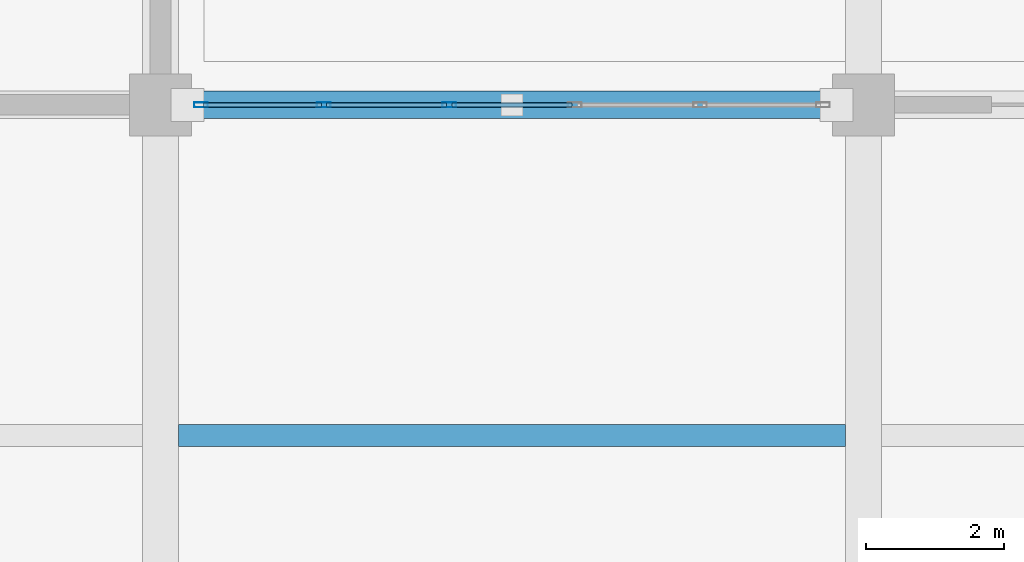
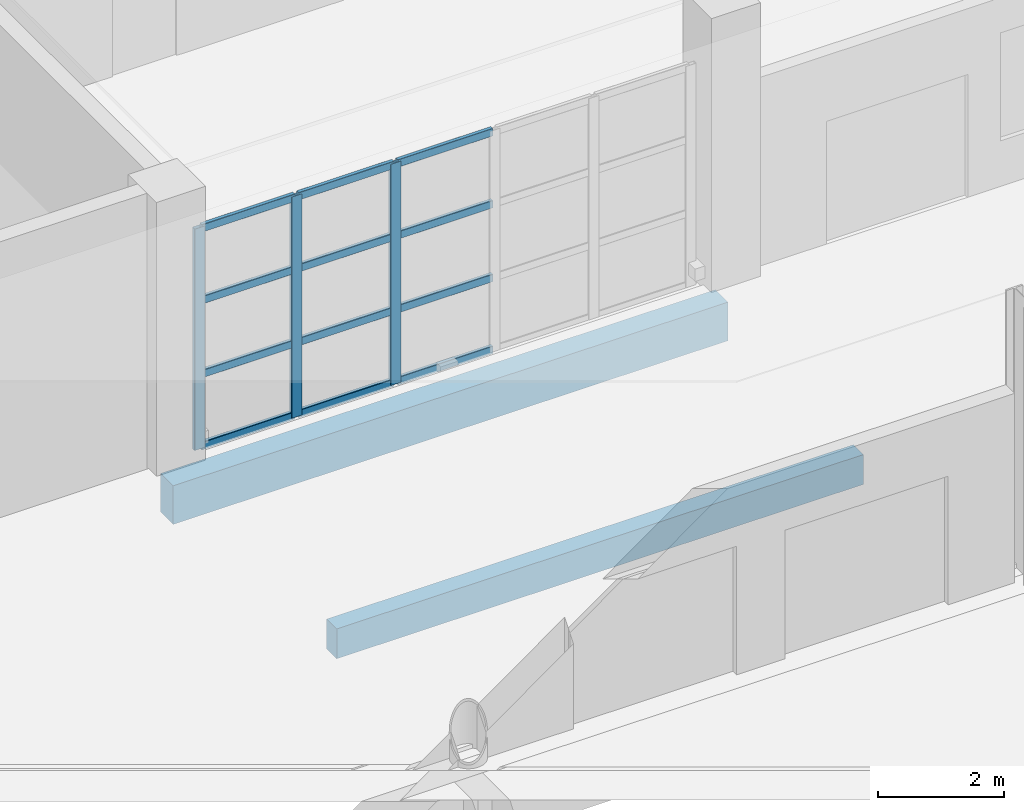
# One storey, part 41 of 124: 15 members, 2 beams, 1 element without a shape of its own.
"""IFC4 building model written with IfcOpenShell, lengths in metres."""

from ifc_helpers import new_model, si_unit, direction, frame, origin, origin_2d, place, context, subcontext, project, spatial, rectangle, hollow_rectangle, extrude, material, material_profile, profile_set, type_object, element, aggregate, save


model = new_model("IFC4")

# Units and contexts
model_context = context("Model", 3, precision=1e-05, world=origin(), true_north=direction((0.0, 1.0)))
body_context = subcontext(model_context, "Body", "Model", "MODEL_VIEW")
ifc_project = project(units=[si_unit("LENGTHUNIT", "METRE"), si_unit("AREAUNIT", "SQUARE_METRE"), si_unit("VOLUMEUNIT", "CUBIC_METRE"), si_unit("PLANEANGLEUNIT", "RADIAN"), si_unit("MASSUNIT", "GRAM", prefix="KILO")], contexts=[model_context])

# Site, building, storey
site_placement = place(None, origin())
site = spatial("IfcSite", under=ifc_project, at=site_placement, CompositionType="ELEMENT")
building_placement = place(site_placement, origin())
building = spatial("IfcBuilding", under=site, at=building_placement, Name="Brelvane Convention Centre", CompositionType="ELEMENT")
storey_placement = place(building_placement, origin())
storey = spatial("IfcBuildingStorey", under=building, at=storey_placement, Name="L00", CompositionType="ELEMENT", Elevation=0.0)

# Curtain wall, members
ifc_material_1 = material(Name="Anodised Aluminium Alloy 6063-T6", Category="aluminium")
curtain_wall_type = type_object("IfcCurtainWallType", Name="Curtain Wall CW-COURT", PredefinedType="USERDEFINED", material=ifc_material_1)
curtain_wall_placement = place(storey_placement, origin())
curtain_wall = element("IfcCurtainWall", 1, at=curtain_wall_placement, inside=storey, type_object=curtain_wall_type, Name="Curtain Wall CW-COURT L00-V4S-05", ObjectType="UNITISED", PredefinedType="USERDEFINED")
ifc_material_2 = material(Name="Anodised Aluminium Alloy 6063-T6", Category="aluminium")
ifc_material_profile_1 = material_profile(ifc_material_2, hollow_rectangle(XDim=0.074951171875, YDim=0.199951171875, WallThickness=0.0048828125, InnerFilletRadius=0.0048828125, OuterFilletRadius=0.010009765625, at=origin_2d()), Name="ALU-M 200x75x5.0")
ifc_profile_set_1 = profile_set([ifc_material_profile_1], Name="Anodised Aluminium Alloy 6063-T6")
member_type_1 = type_object("IfcMemberType", Name="Curtain Mullion CW-M2", PredefinedType="MULLION", material=ifc_profile_set_1)
member_1_placement = place(storey_placement, frame((41.387451171875, 109.199951171875, 0.0), z_axis=(0.0, 0.0, 1.0), x_axis=(0.0, 1.0, 0.0)))
member_1 = element("IfcMember", 2, at=member_1_placement, type_object=member_type_1, Name="CW-COURT mullion 1", PredefinedType="MULLION", context=body_context, shape_type="SweptSolid", body=[
    extrude(hollow_rectangle(XDim=0.074951171875, YDim=0.199951171875, WallThickness=0.0048828125, InnerFilletRadius=0.0048828125, OuterFilletRadius=0.010009765625, at=origin_2d()), origin(), (0.0, 0.0, 1.0), 4.300048828125),
])
member_2_placement = place(storey_placement, frame((43.169921875, 109.199951171875, 0.0), z_axis=(0.0, 0.0, 1.0), x_axis=(0.0, 1.0, 0.0)))
member_2 = element("IfcMember", 3, at=member_2_placement, type_object=member_type_1, Name="CW-COURT mullion 2", PredefinedType="MULLION", context=body_context, shape_type="SweptSolid", body=[
    extrude(hollow_rectangle(XDim=0.074951171875, YDim=0.199951171875, WallThickness=0.0048828125, InnerFilletRadius=0.0048828125, OuterFilletRadius=0.010009765625, at=origin_2d()), origin(), (0.0, 0.0, 1.0), 4.300048828125),
])
member_3_placement = place(storey_placement, frame((44.989990234375, 109.199951171875, 0.0), z_axis=(0.0, 0.0, 1.0), x_axis=(0.0, 1.0, 0.0)))
member_3 = element("IfcMember", 4, at=member_3_placement, type_object=member_type_1, Name="CW-COURT mullion 3", PredefinedType="MULLION", context=body_context, shape_type="SweptSolid", body=[
    extrude(hollow_rectangle(XDim=0.074951171875, YDim=0.199951171875, WallThickness=0.0048828125, InnerFilletRadius=0.0048828125, OuterFilletRadius=0.010009765625, at=origin_2d()), origin(), (0.0, 0.0, 1.0), 4.300048828125),
])
ifc_material_3 = material(Name="Anodised Aluminium Alloy 6063-T6", Category="aluminium")
ifc_material_profile_2 = material_profile(ifc_material_3, hollow_rectangle(XDim=0.070068359375, YDim=0.14990234375, WallThickness=0.00439453125, InnerFilletRadius=0.00439453125, OuterFilletRadius=0.009033203125, at=origin_2d()), Name="ALU-T 150x70x4.5")
ifc_profile_set_2 = profile_set([ifc_material_profile_2], Name="Anodised Aluminium Alloy 6063-T6")
member_type_2 = type_object("IfcMemberType", Name="Curtain Transom CW-T2", PredefinedType="USERDEFINED", material=ifc_profile_set_2)
member_4_placement = place(storey_placement, frame((41.425048828125, 109.199951171875, 0.034912109375), z_axis=(1.0, 0.0, 0.0), x_axis=(0.0, 1.0, 0.0)))
member_4 = element("IfcMember", 5, at=member_4_placement, type_object=member_type_2, Name="CW-COURT transom 1.1", ObjectType="TRANSOM", PredefinedType="USERDEFINED", context=body_context, shape_type="SweptSolid", body=[
    extrude(hollow_rectangle(XDim=0.070068359375, YDim=0.14990234375, WallThickness=0.00439453125, InnerFilletRadius=0.00439453125, OuterFilletRadius=0.009033203125, at=origin_2d()), origin(), (0.0, 0.0, 1.0), 1.70751953125),
])
member_5_placement = place(storey_placement, frame((41.425048828125, 109.199951171875, 1.433349609375), z_axis=(1.0, 0.0, 0.0), x_axis=(0.0, 1.0, 0.0)))
member_5 = element("IfcMember", 6, at=member_5_placement, type_object=member_type_2, Name="CW-COURT transom 1.2", ObjectType="TRANSOM", PredefinedType="USERDEFINED", context=body_context, shape_type="SweptSolid", body=[
    extrude(hollow_rectangle(XDim=0.070068359375, YDim=0.14990234375, WallThickness=0.00439453125, InnerFilletRadius=0.00439453125, OuterFilletRadius=0.009033203125, at=origin_2d()), origin(), (0.0, 0.0, 1.0), 1.70751953125),
])
member_6_placement = place(storey_placement, frame((41.425048828125, 109.199951171875, 2.86669921875), z_axis=(1.0, 0.0, 0.0), x_axis=(0.0, 1.0, 0.0)))
member_6 = element("IfcMember", 7, at=member_6_placement, type_object=member_type_2, Name="CW-COURT transom 1.3", ObjectType="TRANSOM", PredefinedType="USERDEFINED", context=body_context, shape_type="SweptSolid", body=[
    extrude(hollow_rectangle(XDim=0.070068359375, YDim=0.14990234375, WallThickness=0.00439453125, InnerFilletRadius=0.00439453125, OuterFilletRadius=0.009033203125, at=origin_2d()), origin(), (0.0, 0.0, 1.0), 1.70751953125),
])
member_7_placement = place(storey_placement, frame((41.425048828125, 109.199951171875, 4.264892578125), z_axis=(1.0, 0.0, 0.0), x_axis=(0.0, 1.0, 0.0)))
member_7 = element("IfcMember", 8, at=member_7_placement, type_object=member_type_2, Name="CW-COURT transom 1.4", ObjectType="TRANSOM", PredefinedType="USERDEFINED", context=body_context, shape_type="SweptSolid", body=[
    extrude(hollow_rectangle(XDim=0.070068359375, YDim=0.14990234375, WallThickness=0.00439453125, InnerFilletRadius=0.00439453125, OuterFilletRadius=0.009033203125, at=origin_2d()), origin(), (0.0, 0.0, 1.0), 1.70751953125),
])
member_8_placement = place(storey_placement, frame((43.20751953125, 109.199951171875, 0.034912109375), z_axis=(1.0, 0.0, 0.0), x_axis=(0.0, 1.0, 0.0)))
member_8 = element("IfcMember", 9, at=member_8_placement, type_object=member_type_2, Name="CW-COURT transom 2.1", ObjectType="TRANSOM", PredefinedType="USERDEFINED", context=body_context, shape_type="SweptSolid", body=[
    extrude(hollow_rectangle(XDim=0.070068359375, YDim=0.14990234375, WallThickness=0.00439453125, InnerFilletRadius=0.00439453125, OuterFilletRadius=0.009033203125, at=origin_2d()), origin(), (0.0, 0.0, 1.0), 1.744873046875),
])
member_9_placement = place(storey_placement, frame((43.20751953125, 109.199951171875, 1.433349609375), z_axis=(1.0, 0.0, 0.0), x_axis=(0.0, 1.0, 0.0)))
member_9 = element("IfcMember", 10, at=member_9_placement, type_object=member_type_2, Name="CW-COURT transom 2.2", ObjectType="TRANSOM", PredefinedType="USERDEFINED", context=body_context, shape_type="SweptSolid", body=[
    extrude(hollow_rectangle(XDim=0.070068359375, YDim=0.14990234375, WallThickness=0.00439453125, InnerFilletRadius=0.00439453125, OuterFilletRadius=0.009033203125, at=origin_2d()), origin(), (0.0, 0.0, 1.0), 1.744873046875),
])
member_10_placement = place(storey_placement, frame((43.20751953125, 109.199951171875, 2.86669921875), z_axis=(1.0, 0.0, 0.0), x_axis=(0.0, 1.0, 0.0)))
member_10 = element("IfcMember", 11, at=member_10_placement, type_object=member_type_2, Name="CW-COURT transom 2.3", ObjectType="TRANSOM", PredefinedType="USERDEFINED", context=body_context, shape_type="SweptSolid", body=[
    extrude(hollow_rectangle(XDim=0.070068359375, YDim=0.14990234375, WallThickness=0.00439453125, InnerFilletRadius=0.00439453125, OuterFilletRadius=0.009033203125, at=origin_2d()), origin(), (0.0, 0.0, 1.0), 1.744873046875),
])
member_11_placement = place(storey_placement, frame((43.20751953125, 109.199951171875, 4.264892578125), z_axis=(1.0, 0.0, 0.0), x_axis=(0.0, 1.0, 0.0)))
member_11 = element("IfcMember", 12, at=member_11_placement, type_object=member_type_2, Name="CW-COURT transom 2.4", ObjectType="TRANSOM", PredefinedType="USERDEFINED", context=body_context, shape_type="SweptSolid", body=[
    extrude(hollow_rectangle(XDim=0.070068359375, YDim=0.14990234375, WallThickness=0.00439453125, InnerFilletRadius=0.00439453125, OuterFilletRadius=0.009033203125, at=origin_2d()), origin(), (0.0, 0.0, 1.0), 1.744873046875),
])
member_12_placement = place(storey_placement, frame((45.027587890625, 109.199951171875, 0.034912109375), z_axis=(1.0, 0.0, 0.0), x_axis=(0.0, 1.0, 0.0)))
member_12 = element("IfcMember", 13, at=member_12_placement, type_object=member_type_2, Name="CW-COURT transom 3.1", ObjectType="TRANSOM", PredefinedType="USERDEFINED", context=body_context, shape_type="SweptSolid", body=[
    extrude(hollow_rectangle(XDim=0.070068359375, YDim=0.14990234375, WallThickness=0.00439453125, InnerFilletRadius=0.00439453125, OuterFilletRadius=0.009033203125, at=origin_2d()), origin(), (0.0, 0.0, 1.0), 1.744873046875),
])
member_13_placement = place(storey_placement, frame((45.027587890625, 109.199951171875, 1.433349609375), z_axis=(1.0, 0.0, 0.0), x_axis=(0.0, 1.0, 0.0)))
member_13 = element("IfcMember", 14, at=member_13_placement, type_object=member_type_2, Name="CW-COURT transom 3.2", ObjectType="TRANSOM", PredefinedType="USERDEFINED", context=body_context, shape_type="SweptSolid", body=[
    extrude(hollow_rectangle(XDim=0.070068359375, YDim=0.14990234375, WallThickness=0.00439453125, InnerFilletRadius=0.00439453125, OuterFilletRadius=0.009033203125, at=origin_2d()), origin(), (0.0, 0.0, 1.0), 1.744873046875),
])
member_14_placement = place(storey_placement, frame((45.027587890625, 109.199951171875, 2.86669921875), z_axis=(1.0, 0.0, 0.0), x_axis=(0.0, 1.0, 0.0)))
member_14 = element("IfcMember", 15, at=member_14_placement, type_object=member_type_2, Name="CW-COURT transom 3.3", ObjectType="TRANSOM", PredefinedType="USERDEFINED", context=body_context, shape_type="SweptSolid", body=[
    extrude(hollow_rectangle(XDim=0.070068359375, YDim=0.14990234375, WallThickness=0.00439453125, InnerFilletRadius=0.00439453125, OuterFilletRadius=0.009033203125, at=origin_2d()), origin(), (0.0, 0.0, 1.0), 1.744873046875),
])
member_15_placement = place(storey_placement, frame((45.027587890625, 109.199951171875, 4.264892578125), z_axis=(1.0, 0.0, 0.0), x_axis=(0.0, 1.0, 0.0)))
member_15 = element("IfcMember", 16, at=member_15_placement, type_object=member_type_2, Name="CW-COURT transom 3.4", ObjectType="TRANSOM", PredefinedType="USERDEFINED", context=body_context, shape_type="SweptSolid", body=[
    extrude(hollow_rectangle(XDim=0.070068359375, YDim=0.14990234375, WallThickness=0.00439453125, InnerFilletRadius=0.00439453125, OuterFilletRadius=0.009033203125, at=origin_2d()), origin(), (0.0, 0.0, 1.0), 1.744873046875),
])
aggregate(curtain_wall, [member_1, member_2, member_3, member_4, member_5, member_6, member_7, member_8, member_9, member_10, member_11, member_12, member_13, member_14, member_15])

# Beams
ifc_material_4 = material(Name="Concrete M40", Category="concrete")
ifc_material_profile_3 = material_profile(ifc_material_4, rectangle(XDim=0.320068359375, YDim=0.580078125, at=origin_2d()), Name="RC 320x580")
ifc_profile_set_3 = profile_set([ifc_material_profile_3], Name="Concrete M40")
beam_type_1 = type_object("IfcBeamType", Name="RC Joist J-RC3 (RC 320x580)", PredefinedType="JOIST", material=ifc_profile_set_3)
beam_1_placement = place(storey_placement, frame((41.06005859375, 104.39990234375, -0.68994140625), z_axis=(1.0, 0.0, 0.0), x_axis=(0.0, 1.0, 0.0)))
element("IfcBeam", 17, at=beam_1_placement, inside=storey, type_object=beam_type_1, Name="L00 Secondary Joist 5-6/KL", PredefinedType="JOIST", context=body_context, shape_type="SweptSolid", body=[
    extrude(rectangle(XDim=0.320068359375, YDim=0.580078125, at=origin_2d()), origin(), (0.0, 0.0, 1.0), 9.679931640625),
])
ifc_material_5 = material(Name="Concrete M40", Category="concrete")
ifc_material_profile_4 = material_profile(ifc_material_5, rectangle(XDim=0.39990234375, YDim=0.75, at=origin_2d()), Name="RC 400x750")
ifc_profile_set_4 = profile_set([ifc_material_profile_4], Name="Concrete M40")
beam_type_2 = type_object("IfcBeamType", Name="RC Spandrel SP-RC1 (RC 400x750)", PredefinedType="SPANDREL", material=ifc_profile_set_4)
beam_2_placement = place(storey_placement, frame((40.800048828125, 109.199951171875, -0.7900390625), z_axis=(1.0, 0.0, 0.0), x_axis=(0.0, 1.0, 0.0)))
element("IfcBeam", 18, at=beam_2_placement, inside=storey, type_object=beam_type_2, Name="L00 Beam 5-6/L", PredefinedType="SPANDREL", context=body_context, shape_type="SweptSolid", body=[
    extrude(rectangle(XDim=0.39990234375, YDim=0.75, at=origin_2d()), origin(), (0.0, 0.0, 1.0), 10.199951171875),
])

save(model, "model.ifc")
